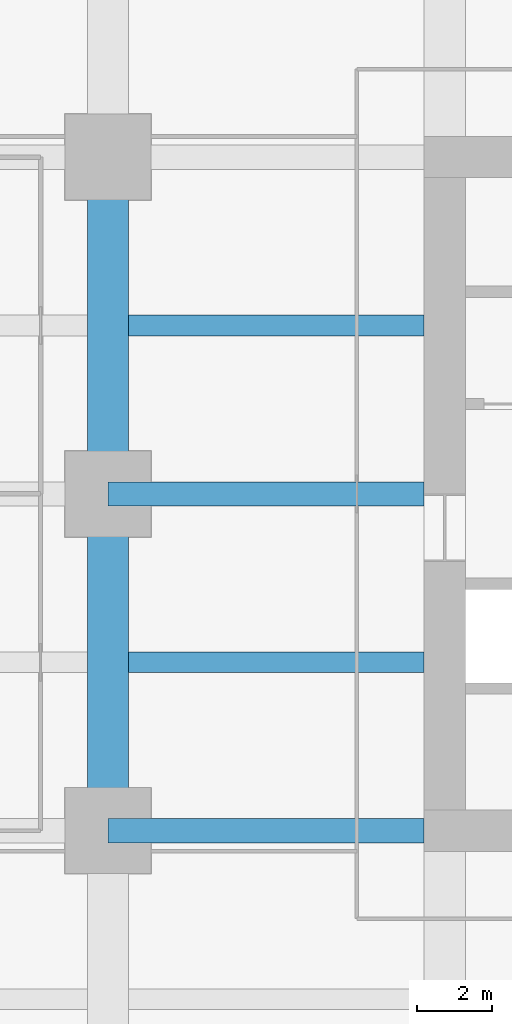
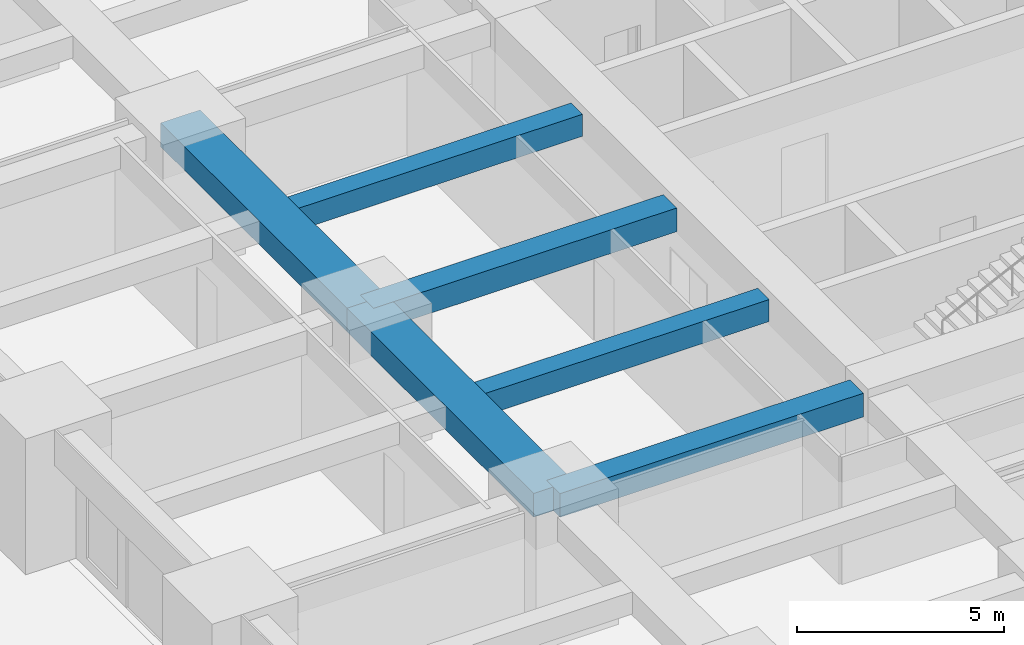
# One storey, part 9 of 38: 6 beams.
"""IFC4 building model written with IfcOpenShell, lengths in metres."""

from ifc_helpers import new_model, si_unit, direction, frame, origin, origin_2d, place, context, subcontext, project, spatial, rectangle, extrude, material, material_profile, profile_set, type_object, element, save


model = new_model("IFC4")

# Units and contexts
model_context = context("Model", 3, precision=1e-05, world=origin(), true_north=direction((0.0, 1.0)))
body_context = subcontext(model_context, "Body", "Model", "MODEL_VIEW")
ifc_project = project(units=[si_unit("LENGTHUNIT", "METRE"), si_unit("AREAUNIT", "SQUARE_METRE"), si_unit("VOLUMEUNIT", "CUBIC_METRE"), si_unit("PLANEANGLEUNIT", "RADIAN"), si_unit("MASSUNIT", "GRAM", prefix="KILO")], contexts=[model_context])

# Site, building, storey
site_placement = place(None, origin())
site = spatial("IfcSite", under=ifc_project, at=site_placement, CompositionType="ELEMENT")
building_placement = place(site_placement, origin())
building = spatial("IfcBuilding", under=site, at=building_placement, Name="Zorevar Civic Tower", CompositionType="ELEMENT")
storey_placement = place(building_placement, frame((0.0, 0.0, 15.800048828125)))
storey = spatial("IfcBuildingStorey", under=building, at=storey_placement, Name="L03", CompositionType="ELEMENT", Elevation=15.800048828125)

# Beams
ifc_material_1 = material(Name="Concrete C50/60", Category="concrete")
ifc_material_profile_1 = material_profile(ifc_material_1, rectangle(XDim=1.10009765625, YDim=0.699951171875, at=origin_2d()), Name="RC 1100x700")
ifc_profile_set_1 = profile_set([ifc_material_profile_1], Name="Concrete C50/60")
beam_type_1 = type_object("IfcBeamType", Name="Beam RC 1100x700", PredefinedType="BEAM", material=ifc_profile_set_1)
for number, where, z_axis, x_axis, name in (
    (1, (9.0, 18.0, 3.39990234375), (0.0, 1.0, 0.0), (-1.0, 0.0, 0.0), "Girder L04"),
    (2, (9.0, 27.0, 3.39990234375), (0.0, 1.0, 0.0), (-1.0, 0.0, 0.0), "Girder L04"),
):
    element("IfcBeam", number, at=place(storey_placement, frame(where, z_axis=z_axis, x_axis=x_axis)), inside=storey, type_object=beam_type_1, Name=name, PredefinedType="BEAM", context=body_context, shape_type="SweptSolid", body=[
        extrude(rectangle(XDim=1.10009765625, YDim=0.699951171875, at=origin_2d()), origin(), (0.0, 0.0, 1.0), 9.0),
    ])
ifc_material_2 = material(Name="Concrete C50/60", Category="concrete")
ifc_material_profile_2 = material_profile(ifc_material_2, rectangle(XDim=0.550048828125, YDim=0.64990234375, at=origin_2d()), Name="RC 550x650")
ifc_profile_set_2 = profile_set([ifc_material_profile_2], Name="Concrete C50/60")
beam_type_2 = type_object("IfcBeamType", Name="Beam RC 550x650", PredefinedType="BEAM", material=ifc_profile_set_2)
for number, where, z_axis, x_axis, name in (
    (3, (9.550048828125, 22.5, 3.425048828125), (1.0, 0.0, 0.0), (0.0, 1.0, 0.0), "Secondary beam L04"),
    (4, (9.550048828125, 31.5, 3.425048828125), (1.0, 0.0, 0.0), (0.0, 1.0, 0.0), "Secondary beam L04"),
):
    element("IfcBeam", number, at=place(storey_placement, frame(where, z_axis=z_axis, x_axis=x_axis)), inside=storey, type_object=beam_type_2, Name=name, PredefinedType="BEAM", context=body_context, shape_type="SweptSolid", body=[
        extrude(rectangle(XDim=0.550048828125, YDim=0.64990234375, at=origin_2d()), origin(), (0.0, 0.0, 1.0), 7.89990234375),
    ])
ifc_material_3 = material(Name="Concrete C50/60", Category="concrete")
ifc_material_profile_3 = material_profile(ifc_material_3, rectangle(XDim=0.64990234375, YDim=0.699951171875, at=origin_2d()), Name="RC 650x700")
ifc_profile_set_3 = profile_set([ifc_material_profile_3], Name="Concrete C50/60")
beam_type_3 = type_object("IfcBeamType", Name="Beam RC 650x700", PredefinedType="BEAM", material=ifc_profile_set_3)
for number, where, z_axis, x_axis, name in (
    (5, (9.0, 18.0, 3.39990234375), (1.0, 0.0, 0.0), (0.0, 1.0, 0.0), "Girder L04"),
    (6, (9.0, 27.0, 3.39990234375), (1.0, 0.0, 0.0), (0.0, 1.0, 0.0), "Girder L04"),
):
    element("IfcBeam", number, at=place(storey_placement, frame(where, z_axis=z_axis, x_axis=x_axis)), inside=storey, type_object=beam_type_3, Name=name, PredefinedType="BEAM", context=body_context, shape_type="SweptSolid", body=[
        extrude(rectangle(XDim=0.64990234375, YDim=0.699951171875, at=origin_2d()), origin(), (0.0, 0.0, 1.0), 8.449951171875),
    ])

save(model, "model.ifc")
